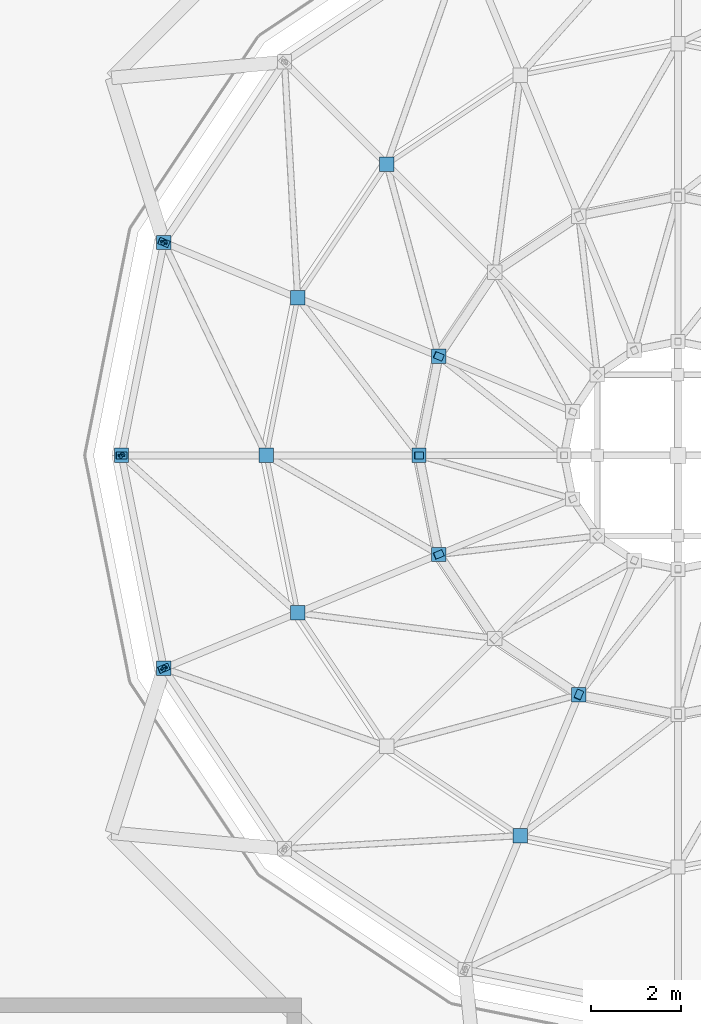
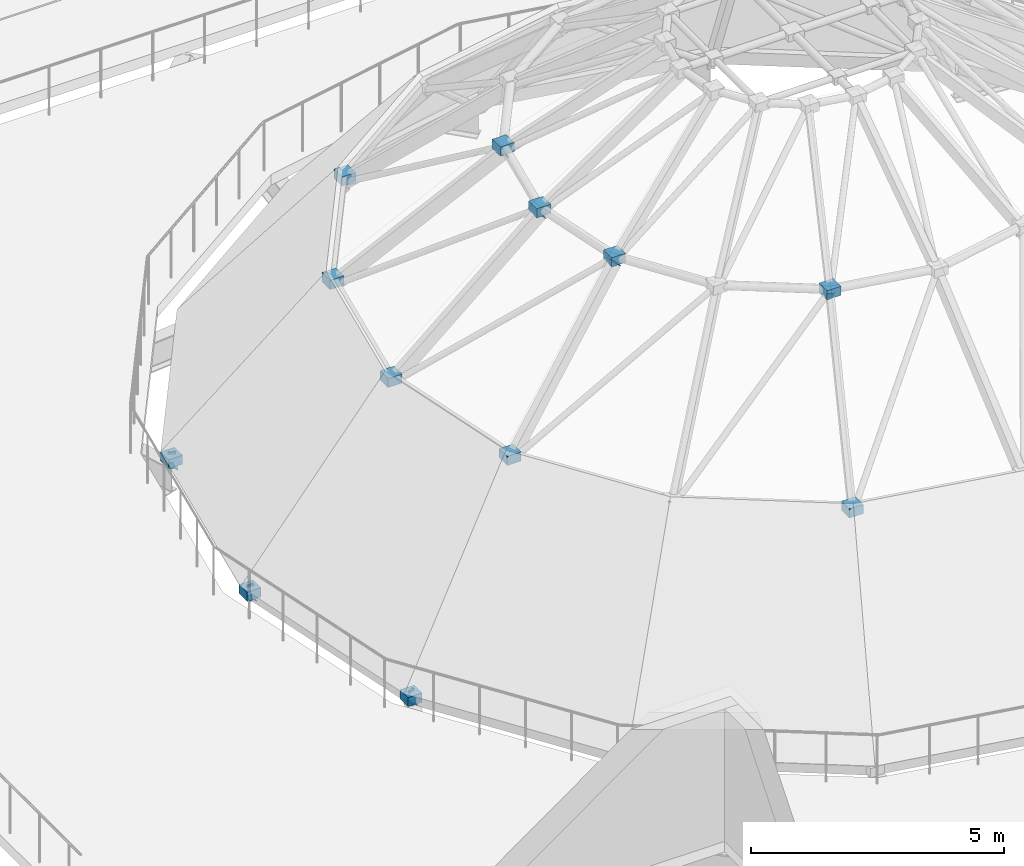
# One storey, part 27 of 40: 28 discrete accessories.
"""IFC4 building model written with IfcOpenShell, lengths in metres."""

from ifc_helpers import new_model, si_unit, direction, frame, origin, origin_2d, place, context, subcontext, project, spatial, rectangle, circle, extrude, material, type_object, element, save


model = new_model("IFC4")

# Units and contexts
model_context = context("Model", 3, precision=1e-05, world=origin(), true_north=direction((0.0, 1.0)))
body_context = subcontext(model_context, "Body", "Model", "MODEL_VIEW")
ifc_project = project(units=[si_unit("LENGTHUNIT", "METRE"), si_unit("AREAUNIT", "SQUARE_METRE"), si_unit("VOLUMEUNIT", "CUBIC_METRE"), si_unit("PLANEANGLEUNIT", "RADIAN"), si_unit("MASSUNIT", "GRAM", prefix="KILO"), si_unit("THERMODYNAMICTEMPERATUREUNIT", "KELVIN")], contexts=[model_context])

# Site, building, storey
site_placement = place(None, origin())
site = spatial("IfcSite", under=ifc_project, at=site_placement, CompositionType="ELEMENT")
building_placement = place(site_placement, origin())
building = spatial("IfcBuilding", under=site, at=building_placement, Name="Lustrewick Department Store", CompositionType="ELEMENT")
storey_placement = place(building_placement, frame((0.0, 0.0, 31.800048828125)))
storey = spatial("IfcBuildingStorey", under=building, at=storey_placement, Name="L07", CompositionType="ELEMENT", Elevation=31.800048828125)

# Discrete accessories
ifc_material = material(Name="Structural steel Q355C", Category="steel")
discrete_accessory_type_1 = type_object("IfcDiscreteAccessoryType", Name="GUS-NODE", PredefinedType="BRACKET", material=ifc_material)
for number, where, z_axis, x_axis, name in (
    (1, (17.960205078125, 71.938720703125, -0.28076171875), (0.0, 0.0, 1.0), (1.0, 0.0, 0.0), "V1 Dome Truss Ring 0 Node Gusset 08"),
    (2, (17.017578125, 67.199951171875, -0.28076171875), (0.0, 0.0, 1.0), (1.0, 0.0, 0.0), "V1 Dome Truss Ring 0 Node Gusset 09"),
    (3, (17.960205078125, 62.46142578125, -0.28076171875), (0.0, 0.0, 1.0), (1.0, 0.0, 0.0), "V1 Dome Truss Ring 0 Node Gusset 10"),
    (4, (22.923095703125, 73.677001953125, 3.755859375), (0.0, 0.0, 1.0), (1.0, 0.0, 0.0), "V1 Dome Truss Ring 1 Node Gusset 07"),
    (5, (20.9375, 70.705322265625, 3.755859375), (0.0, 0.0, 1.0), (1.0, 0.0, 0.0), "V1 Dome Truss Ring 1 Node Gusset 08"),
    (6, (20.240234375, 67.199951171875, 3.755859375), (0.0, 0.0, 1.0), (1.0, 0.0, 0.0), "V1 Dome Truss Ring 1 Node Gusset 09"),
    (7, (20.9375, 63.694580078125, 3.755859375), (0.0, 0.0, 1.0), (1.0, 0.0, 0.0), "V1 Dome Truss Ring 1 Node Gusset 10"),
    (8, (25.894775390625, 58.7373046875, 3.755859375), (0.0, 0.0, 1.0), (1.0, 0.0, 0.0), "V1 Dome Truss Ring 1 Node Gusset 12"),
    (9, (24.0751953125, 69.405517578125, 6.66796875), (0.0, 0.0, 1.0), (1.0, 0.0, 0.0), "V1 Dome Truss Ring 2 Node Gusset 08"),
    (10, (23.63671875, 67.199951171875, 6.66796875), (0.0, 0.0, 1.0), (1.0, 0.0, 0.0), "V1 Dome Truss Ring 2 Node Gusset 09"),
    (11, (24.0751953125, 64.994384765625, 6.66796875), (0.0, 0.0, 1.0), (1.0, 0.0, 0.0), "V1 Dome Truss Ring 2 Node Gusset 10"),
    (12, (27.1943359375, 61.875244140625, 6.66796875), (0.0, 0.0, 1.0), (1.0, 0.0, 0.0), "V1 Dome Truss Ring 2 Node Gusset 12"),
):
    element("IfcDiscreteAccessory", number, at=place(storey_placement, frame(where, z_axis=z_axis, x_axis=x_axis)), inside=storey, type_object=discrete_accessory_type_1, Name=name, PredefinedType="BRACKET", context=body_context, shape_type="SweptSolid", body=[
        extrude(rectangle(XDim=0.320068359375, YDim=0.320068359375, at=origin_2d()), origin(), (0.0, 0.0, 1.0), 0.219970703125),
    ])
discrete_accessory_type_2 = type_object("IfcDiscreteAccessoryType", Name="ECP-01", PredefinedType="USERDEFINED", material=ifc_material)
for number, where, z_axis, x_axis, name in (
    (13, (24.071044921875, 69.4072265625, 6.62353515625), (0.702740888981, -0.291108006613, 0.649162053296), (0.382709465293, 0.92386874889, 0.0), "L07 Welded Hollow-Section End-Cap Plate ECP-01"),
    (14, (17.958984375, 62.46728515625, -0.170654296875), (0.195105384075, -0.980782284253, 0.0), (0.980782284253, 0.195105384075, 0.0), "L07 Welded Hollow-Section End-Cap Plate ECP-01"),
    (15, (17.018798828125, 67.194091796875, -0.170654296875), (-0.195105384075, 0.980782284253, 0.0), (0.980782284253, 0.195105384075, 0.0), "L07 Welded Hollow-Section End-Cap Plate ECP-01"),
    (16, (24.071044921875, 64.99267578125, 6.62353515625), (0.702740888981, 0.291108006613, 0.649162053296), (-0.382709465293, 0.92386874889, 0.0), "L07 Welded Hollow-Section End-Cap Plate ECP-01"),
    (17, (27.192626953125, 61.87109375, 6.62353515625), (0.291046406414, 0.702779982677, 0.649147352503), (-0.923904905479, 0.382622170858, 0.0), "L07 Welded Hollow-Section End-Cap Plate ECP-01"),
    (18, (17.963623046875, 71.943603515625, -0.170654296875), (-0.55556285078, -0.83147454491, 0.0), (0.83147454491, -0.55556285078, 0.0), "L07 Welded Hollow-Section End-Cap Plate ECP-01"),
    (19, (17.018798828125, 67.205810546875, -0.170654296875), (-0.195095714882, -0.98078420768, 0.0), (0.98078420768, -0.195095714882, 0.0), "L07 Welded Hollow-Section End-Cap Plate ECP-01"),
    (20, (17.958984375, 71.932861328125, -0.170654296875), (0.195095714882, 0.98078420768, 0.0), (0.98078420768, -0.195095714882, 0.0), "L07 Welded Hollow-Section End-Cap Plate ECP-01"),
    (21, (17.963623046875, 62.45654296875, -0.170654296875), (-0.55556285078, 0.83147454491, 0.0), (0.83147454491, 0.55556285078, 0.0), "L07 Welded Hollow-Section End-Cap Plate ECP-01"),
):
    element("IfcDiscreteAccessory", number, at=place(storey_placement, frame(where, z_axis=z_axis, x_axis=x_axis)), inside=storey, type_object=discrete_accessory_type_2, Name=name, ObjectType="END_CAP_PLATE", PredefinedType="USERDEFINED", context=body_context, shape_type="SweptSolid", body=[
        extrude(rectangle(XDim=0.14990234375, YDim=0.300048828125, at=origin_2d()), origin(), (0.0, 0.0, 1.0), 0.01611328125),
    ])
discrete_accessory_1_placement = place(storey_placement, frame((17.964599609375, 62.4599609375, -0.347900390625), z_axis=(-0.737599512272, 0.258384795695, -0.623846340736), x_axis=(0.330606846885, 0.943768569509, 0.0)))
element("IfcDiscreteAccessory", 22, at=discrete_accessory_1_placement, inside=storey, type_object=discrete_accessory_type_2, Name="L07 Welded Hollow-Section End-Cap Plate ECP-01", ObjectType="END_CAP_PLATE", PredefinedType="USERDEFINED", context=body_context, shape_type="SweptSolid", body=[
    extrude(circle(Radius=0.070068359375, at=origin_2d()), origin(), (0.0, 0.0, 1.0), 0.01611328125),
])
discrete_accessory_2_placement = place(storey_placement, frame((17.021240234375, 67.199951171875, -0.322021484375), z_axis=(-0.627125427781, 0.0, -0.778918287005), x_axis=(0.0, 1.0, 0.0)))
element("IfcDiscreteAccessory", 23, at=discrete_accessory_2_placement, inside=storey, type_object=discrete_accessory_type_2, Name="L07 Welded Hollow-Section End-Cap Plate ECP-01", ObjectType="END_CAP_PLATE", PredefinedType="USERDEFINED", context=body_context, shape_type="SweptSolid", body=[
    extrude(rectangle(XDim=0.14990234375, YDim=0.300048828125, at=origin_2d()), origin(), (0.0, 0.0, 1.0), 0.01611328125),
])
discrete_accessory_3_placement = place(storey_placement, frame((17.02099609375, 67.19677734375, -0.347900390625), z_axis=(-0.582586158386, 0.520974841935, -0.623841792547), x_axis=(0.666591272375, 0.745423420341, 0.0)))
element("IfcDiscreteAccessory", 24, at=discrete_accessory_3_placement, inside=storey, type_object=discrete_accessory_type_2, Name="L07 Welded Hollow-Section End-Cap Plate ECP-01", ObjectType="END_CAP_PLATE", PredefinedType="USERDEFINED", context=body_context, shape_type="SweptSolid", body=[
    extrude(circle(Radius=0.070068359375, at=origin_2d()), origin(), (0.0, 0.0, 1.0), 0.01611328125),
])
for number, where, z_axis, x_axis, name in (
    (25, (17.963623046875, 62.462890625, -0.322021484375), (-0.579384507666, -0.239973033885, -0.778926527527), (-0.38266180877, 0.923888489001, 0.0), "L07 Welded Hollow-Section End-Cap Plate ECP-01"),
    (26, (23.632080078125, 67.199951171875, 6.62353515625), (0.760679764588, 0.0, 0.649127334001), (0.0, 1.0, 0.0), "L07 Welded Hollow-Section End-Cap Plate ECP-01"),
    (27, (17.963623046875, 71.937255859375, -0.322021484375), (-0.579377901493, 0.240017807162, -0.778917646165), (0.382726472086, 0.923861703701, 0.0), "L07 Welded Hollow-Section End-Cap Plate ECP-01"),
):
    element("IfcDiscreteAccessory", number, at=place(storey_placement, frame(where, z_axis=z_axis, x_axis=x_axis)), inside=storey, type_object=discrete_accessory_type_2, Name=name, ObjectType="END_CAP_PLATE", PredefinedType="USERDEFINED", context=body_context, shape_type="SweptSolid", body=[
        extrude(rectangle(XDim=0.14990234375, YDim=0.300048828125, at=origin_2d()), origin(), (0.0, 0.0, 1.0), 0.01611328125),
    ])
discrete_accessory_4_placement = place(storey_placement, frame((17.962158203125, 71.9345703125, -0.347900390625), z_axis=(-0.338858287549, 0.704276620764, -0.62383451524), x_axis=(0.901120594982, 0.433568533567, 0.0)))
element("IfcDiscreteAccessory", 28, at=discrete_accessory_4_placement, inside=storey, type_object=discrete_accessory_type_2, Name="L07 Welded Hollow-Section End-Cap Plate ECP-01", ObjectType="END_CAP_PLATE", PredefinedType="USERDEFINED", context=body_context, shape_type="SweptSolid", body=[
    extrude(circle(Radius=0.070068359375, at=origin_2d()), origin(), (0.0, 0.0, 1.0), 0.01611328125),
])

save(model, "model.ifc")
